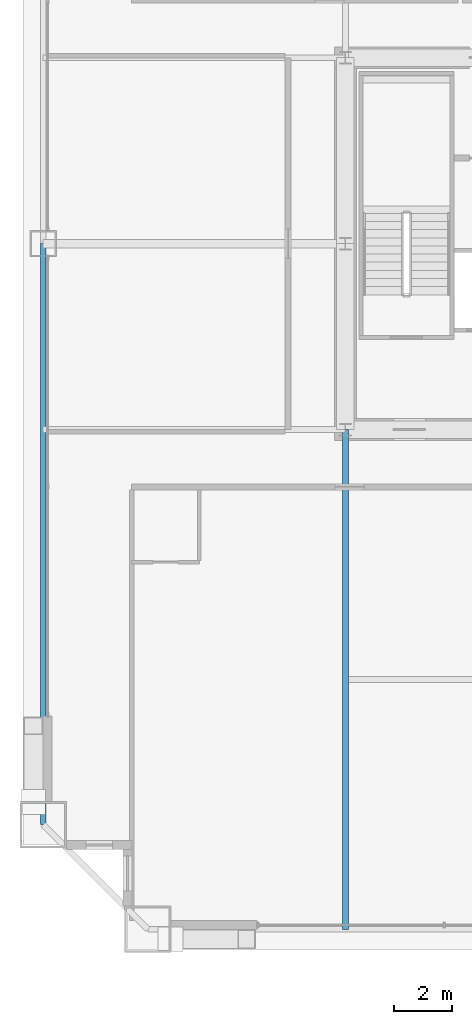
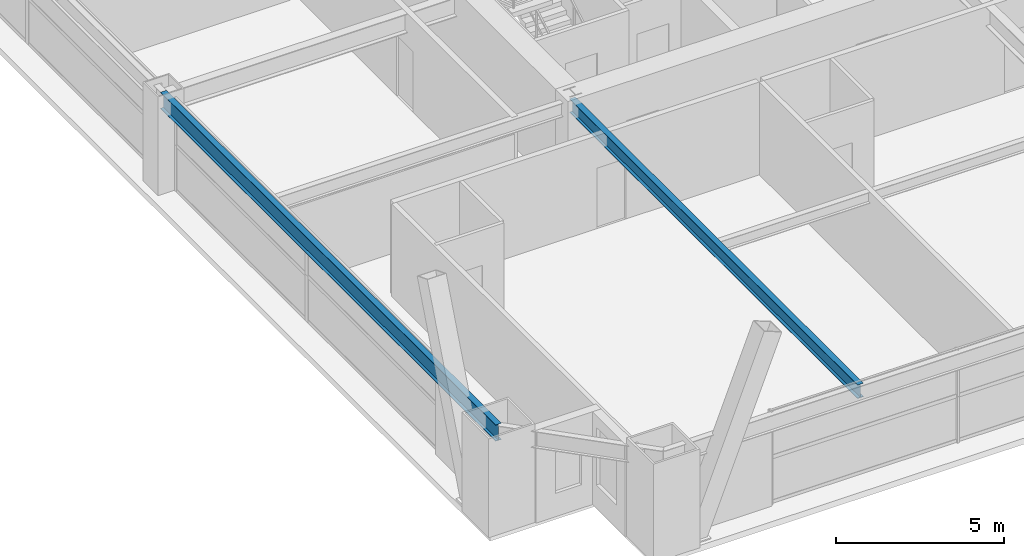
# One storey, part 7 of 43: 2 beams.
"""IFC4 building model written with IfcOpenShell, lengths in metres."""

from ifc_helpers import new_model, si_unit, direction, frame, origin, origin_2d, place, context, subcontext, project, spatial, i_section, extrude, source, transform, mapped, material, material_profile, profile_set, type_object, element, save


model = new_model("IFC4")

# Units and contexts
model_context = context("Model", 3, precision=1e-05, world=origin(), true_north=direction((0.0, 1.0)))
body_context = subcontext(model_context, "Body", "Model", "MODEL_VIEW")
ifc_project = project(units=[si_unit("LENGTHUNIT", "METRE"), si_unit("AREAUNIT", "SQUARE_METRE"), si_unit("VOLUMEUNIT", "CUBIC_METRE"), si_unit("PLANEANGLEUNIT", "RADIAN"), si_unit("MASSUNIT", "GRAM", prefix="KILO"), si_unit("THERMODYNAMICTEMPERATUREUNIT", "KELVIN"), si_unit("POWERUNIT", "WATT")], contexts=[model_context])

# Site, building, storey
site_placement = place(None, origin())
site = spatial("IfcSite", under=ifc_project, at=site_placement, CompositionType="ELEMENT")
building_placement = place(site_placement, origin())
building = spatial("IfcBuilding", under=site, at=building_placement, Name="Yuzanri Waterfront Tower", CompositionType="ELEMENT")
storey_placement = place(building_placement, frame((0.0, 0.0, 108.199951171875)))
storey = spatial("IfcBuildingStorey", under=building, at=storey_placement, Name="L28", CompositionType="ELEMENT", Elevation=108.199951171875)

# Beams
ifc_material_1 = material(Name="Steel Q355B", Category="steel")
ifc_material_profile_1 = material_profile(ifc_material_1, i_section(OverallWidth=0.199951171875, OverallDepth=0.60009765625, WebThickness=0.010986328125, FlangeThickness=0.01708984375, at=origin_2d()), Name="HN 600x200x11x17")
ifc_profile_set_1 = profile_set([ifc_material_profile_1], Name="Steel Q355B")
beam_type_1 = type_object("IfcBeamType", Name="Perimeter Spandrel Q355B HN 600x200", PredefinedType="SPANDREL", material=ifc_profile_set_1)
shared_shape_1 = source(origin(), body_context, "Body", "SweptSolid", [
    extrude(i_section(OverallWidth=0.199951171875, OverallDepth=0.60009765625, WebThickness=0.010986328125, FlangeThickness=0.01708984375, at=origin_2d()), origin(), (0.0, 0.0, 1.0), 20.0),
])
beam_1_placement = place(storey_placement, frame((13.39990234375, 25.800048828125, 3.080078125), z_axis=(0.0, -1.0, 0.0), x_axis=(1.0, 0.0, 0.0)))
element("IfcBeam", 1, at=beam_1_placement, inside=storey, type_object=beam_type_1, Name="L28 Perimeter Spandrel W2-W1", PredefinedType="SPANDREL", context=body_context, shape_type="MappedRepresentation", body=[
    mapped(shared_shape_1, transform((0.0, 0.0, 0.0), scale=1.0)),
])
ifc_material_2 = material(Name="Steel Q355B", Category="steel")
ifc_material_profile_2 = material_profile(ifc_material_2, i_section(OverallWidth=0.199951171875, OverallDepth=0.5, WebThickness=0.010009765625, FlangeThickness=0.01611328125, at=origin_2d()), Name="HN 500x200x10x16")
ifc_profile_set_2 = profile_set([ifc_material_profile_2], Name="Steel Q355B")
beam_type_2 = type_object("IfcBeamType", Name="Secondary Floor Beam Q355B HN 500x200", PredefinedType="BEAM", material=ifc_profile_set_2)
shared_shape_2 = source(origin(), body_context, "Body", "SweptSolid", [
    extrude(i_section(OverallWidth=0.199951171875, OverallDepth=0.5, WebThickness=0.010009765625, FlangeThickness=0.01611328125, at=origin_2d()), origin(), (0.0, 0.0, 1.0), 17.199951171875),
])
beam_2_placement = place(storey_placement, frame((23.800048828125, 19.39990234375, 3.130126953125), z_axis=(0.0, -1.0, 0.0), x_axis=(1.0, 0.0, 0.0)))
element("IfcBeam", 2, at=beam_2_placement, inside=storey, type_object=beam_type_2, Name="L28 South-West Core Line Beam", PredefinedType="BEAM", context=body_context, shape_type="MappedRepresentation", body=[
    mapped(shared_shape_2, transform((0.0, 0.0, 0.0), scale=1.0)),
])

save(model, "model.ifc")
